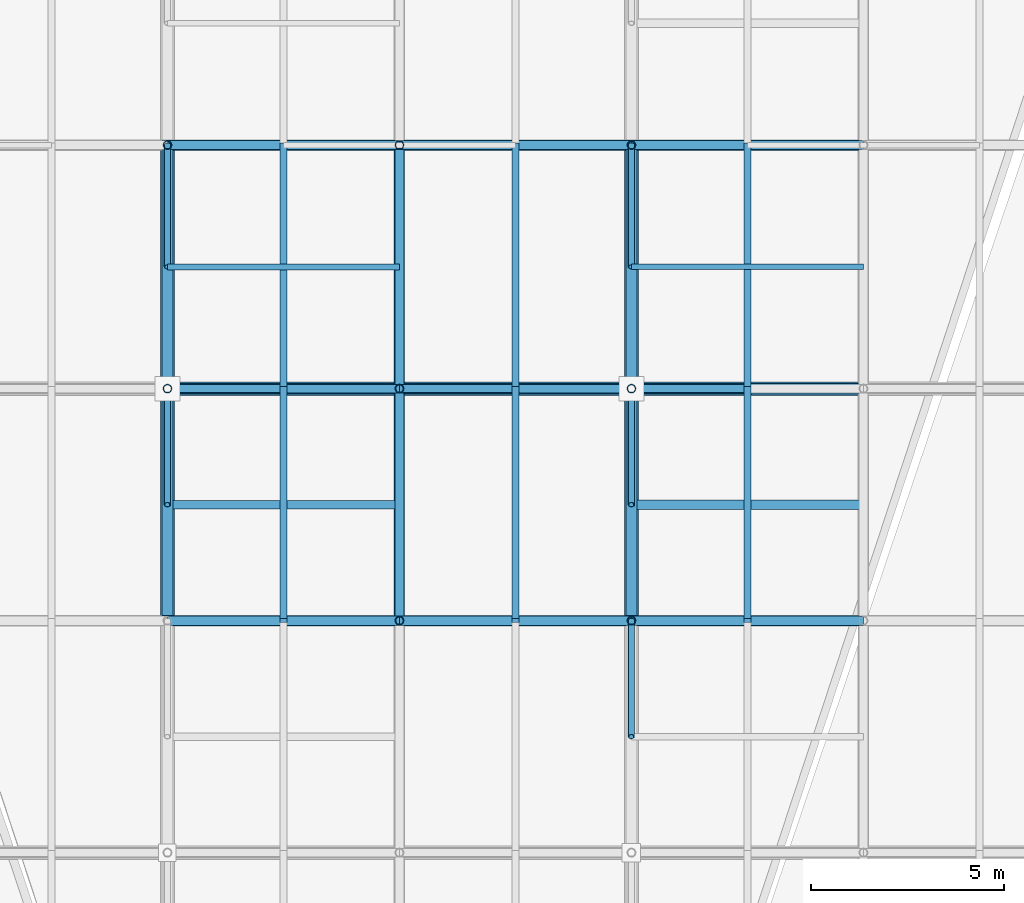
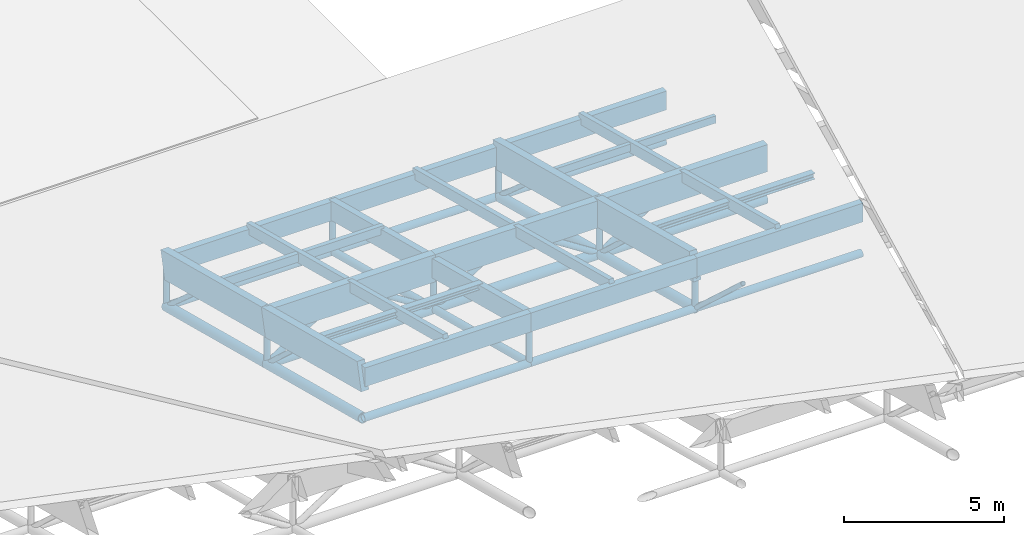
# One storey, part 56 of 80: 58 members.
"""IFC4 building model written with IfcOpenShell, lengths in metres."""

from ifc_helpers import new_model, si_unit, direction, frame, origin, origin_2d, place, context, subcontext, project, spatial, rectangle, hollow_circle, i_section, extrude, material, material_profile, profile_set, type_object, element, save


model = new_model("IFC4")

# Units and contexts
model_context = context("Model", 3, precision=1e-05, world=origin(), true_north=direction((0.0, 1.0)))
body_context = subcontext(model_context, "Body", "Model", "MODEL_VIEW")
ifc_project = project(units=[si_unit("LENGTHUNIT", "METRE"), si_unit("AREAUNIT", "SQUARE_METRE"), si_unit("VOLUMEUNIT", "CUBIC_METRE"), si_unit("PLANEANGLEUNIT", "RADIAN"), si_unit("MASSUNIT", "GRAM", prefix="KILO"), si_unit("THERMODYNAMICTEMPERATUREUNIT", "KELVIN"), si_unit("POWERUNIT", "WATT")], contexts=[model_context])

# Site, building, storey
site_placement = place(None, origin())
site = spatial("IfcSite", under=ifc_project, at=site_placement, CompositionType="ELEMENT")
building_placement = place(site_placement, origin())
building = spatial("IfcBuilding", under=site, at=building_placement, Name="Solmara Park Aquatics Centre", CompositionType="ELEMENT")
storey_placement = place(building_placement, frame((0.0, 0.0, 22.800048828125)))
storey = spatial("IfcBuildingStorey", under=building, at=storey_placement, Name="RF", CompositionType="ELEMENT", Elevation=22.800048828125)

# Members
ifc_material_1 = material(Name="Structural Steel S355", Category="steel")
ifc_material_profile_1 = material_profile(ifc_material_1, hollow_circle(Radius=0.084228515625, WallThickness=0.008056640625, at=origin_2d()), Name="CHS 168.3x8")
ifc_profile_set_1 = profile_set([ifc_material_profile_1], Name="Structural Steel S355")
member_type_1 = type_object("IfcMemberType", Name="STR-BRC-CHS168", PredefinedType="BRACE", material=ifc_profile_set_1)
member_1_placement = place(storey_placement, frame((60.60009765625, 66.60009765625, -9.58984375), z_axis=(0.0, -0.736437262703, 0.67650584484), x_axis=(1.0, 0.0, 0.0)))
element("IfcMember", 1, at=member_1_placement, inside=storey, type_object=member_type_1, Name="Roof Truss Web Diagonal Y 2101", PredefinedType="BRACE", context=body_context, shape_type="SweptSolid", body=[
    extrude(hollow_circle(Radius=0.084228515625, WallThickness=0.008056640625, at=origin_2d()), origin(), (0.0, 0.0, 1.0), 4.07373046875),
])
for number, where, z_axis, x_axis, name in (
    (2, (48.60009765625, 72.60009765625, -11.141357421875), (0.0, -0.736467121275, 0.676473339667), (1.0, 0.0, 0.0), "Roof Truss Web Diagonal Y 2123"),
    (3, (60.60009765625, 72.60009765625, -11.141357421875), (0.0, -0.736467121275, 0.676473339667), (1.0, 0.0, 0.0), "Roof Truss Web Diagonal Y 2124"),
):
    element("IfcMember", number, at=place(storey_placement, frame(where, z_axis=z_axis, x_axis=x_axis)), inside=storey, type_object=member_type_1, Name=name, PredefinedType="BRACE", context=body_context, shape_type="SweptSolid", body=[
        extrude(hollow_circle(Radius=0.084228515625, WallThickness=0.008056640625, at=origin_2d()), origin(), (0.0, 0.0, 1.0), 4.073486328125),
    ])
for number, where, z_axis, x_axis, name in (
    (4, (48.60009765625, 78.89990234375, -12.770751953125), (0.0, -0.748026356938, 0.663669020917), (1.0, 0.0, 0.0), "Roof Truss Web Diagonal Y 2145"),
    (5, (60.60009765625, 78.89990234375, -12.770751953125), (0.0, -0.748026356938, 0.663669020917), (1.0, 0.0, 0.0), "Roof Truss Web Diagonal Y 2146"),
):
    element("IfcMember", number, at=place(storey_placement, frame(where, z_axis=z_axis, x_axis=x_axis)), inside=storey, type_object=member_type_1, Name=name, PredefinedType="BRACE", context=body_context, shape_type="SweptSolid", body=[
        extrude(hollow_circle(Radius=0.084228515625, WallThickness=0.008056640625, at=origin_2d()), origin(), (0.0, 0.0, 1.0), 4.2109375),
    ])
ifc_material_profile_2 = material_profile(ifc_material_1, hollow_circle(Radius=0.109619140625, WallThickness=0.010009765625, at=origin_2d()), Name="CHS 219.1x10")
ifc_profile_set_2 = profile_set([ifc_material_profile_2], Name="Structural Steel S355")
member_type_2 = type_object("IfcMemberType", Name="STR-BRC-CHS219", PredefinedType="BRACE", material=ifc_profile_set_2)
for number, where, z_axis, x_axis, name in (
    (6, (48.60009765625, 72.60009765625, -11.141357421875), (0.83972779743, 0.0, 0.543007574738), (0.0, 1.0, 0.0), "Roof Truss Web Diagonal X 1589"),
    (7, (54.60009765625, 72.60009765625, -11.141357421875), (-0.83972779743, 0.0, 0.543007574738), (0.0, -1.0, 0.0), "Roof Truss Web Diagonal X 1590"),
    (8, (54.60009765625, 72.60009765625, -11.141357421875), (0.83972779743, 0.0, 0.543007574738), (0.0, 1.0, 0.0), "Roof Truss Web Diagonal X 1619"),
    (9, (60.60009765625, 72.60009765625, -11.141357421875), (-0.83972779743, 0.0, 0.543007574738), (0.0, -1.0, 0.0), "Roof Truss Web Diagonal X 1620"),
    (10, (60.60009765625, 72.60009765625, -11.141357421875), (0.83972779743, 0.0, 0.543007574738), (0.0, 1.0, 0.0), "Roof Truss Web Diagonal X 1649"),
):
    element("IfcMember", number, at=place(storey_placement, frame(where, z_axis=z_axis, x_axis=x_axis)), inside=storey, type_object=member_type_2, Name=name, PredefinedType="BRACE", context=body_context, shape_type="SweptSolid", body=[
        extrude(hollow_circle(Radius=0.109619140625, WallThickness=0.010009765625, at=origin_2d()), origin(), (0.0, 0.0, 1.0), 3.572509765625),
    ])
ifc_material_profile_3 = material_profile(ifc_material_1, hollow_circle(Radius=0.136474609375, WallThickness=0.012451171875, at=origin_2d()), Name="CHS 273x12.5")
ifc_profile_set_3 = profile_set([ifc_material_profile_3], Name="Structural Steel S355")
member_type_3 = type_object("IfcMemberType", Name="STR-CHD-CHS273", PredefinedType="CHORD", material=ifc_profile_set_3)
for number, where, z_axis, x_axis, name in (
    (11, (48.60009765625, 66.60009765625, -9.58984375), (1.0, 0.0, 0.0), (0.0, 1.0, 0.0), "Steel Roof Truss Bottom Chord X 0414"),
    (12, (54.60009765625, 66.60009765625, -9.58984375), (1.0, 0.0, 0.0), (0.0, 1.0, 0.0), "Steel Roof Truss Bottom Chord X 0416"),
    (13, (60.60009765625, 66.60009765625, -9.58984375), (1.0, 0.0, 0.0), (0.0, 1.0, 0.0), "Steel Roof Truss Bottom Chord X 0418"),
    (14, (48.60009765625, 78.89990234375, -12.770751953125), (1.0, 0.0, 0.0), (0.0, 1.0, 0.0), "Steel Roof Truss Bottom Chord X 0486"),
    (15, (54.60009765625, 78.89990234375, -12.770751953125), (1.0, 0.0, 0.0), (0.0, 1.0, 0.0), "Steel Roof Truss Bottom Chord X 0488"),
    (16, (60.60009765625, 78.89990234375, -12.770751953125), (1.0, 0.0, 0.0), (0.0, 1.0, 0.0), "Steel Roof Truss Bottom Chord X 0490"),
):
    element("IfcMember", number, at=place(storey_placement, frame(where, z_axis=z_axis, x_axis=x_axis)), inside=storey, type_object=member_type_3, Name=name, PredefinedType="CHORD", context=body_context, shape_type="SweptSolid", body=[
        extrude(hollow_circle(Radius=0.136474609375, WallThickness=0.012451171875, at=origin_2d()), origin(), (0.0, 0.0, 1.0), 6.0),
    ])
member_2_placement = place(storey_placement, frame((54.60009765625, 66.60009765625, -9.58984375), z_axis=(0.0, 0.968155143395, -0.250350990246), x_axis=(-1.0, 0.0, 0.0)))
element("IfcMember", 17, at=member_2_placement, inside=storey, type_object=member_type_3, Name="Steel Roof Truss Bottom Chord Y 0816", PredefinedType="CHORD", context=body_context, shape_type="SweptSolid", body=[
    extrude(hollow_circle(Radius=0.136474609375, WallThickness=0.012451171875, at=origin_2d()), origin(), (0.0, 0.0, 1.0), 6.197265625),
])
member_3_placement = place(storey_placement, frame((54.60009765625, 72.60009765625, -11.141357421875), z_axis=(0.0, 0.968141893543, -0.250402224365), x_axis=(-1.0, 0.0, 0.0)))
element("IfcMember", 18, at=member_3_placement, inside=storey, type_object=member_type_3, Name="Steel Roof Truss Bottom Chord Y 0818", PredefinedType="CHORD", context=body_context, shape_type="SweptSolid", body=[
    extrude(hollow_circle(Radius=0.136474609375, WallThickness=0.012451171875, at=origin_2d()), origin(), (0.0, 0.0, 1.0), 6.507080078125),
])
ifc_material_profile_4 = material_profile(ifc_material_1, hollow_circle(Radius=0.177734375, WallThickness=0.01611328125, at=origin_2d()), Name="CHS 355.6x16")
ifc_profile_set_4 = profile_set([ifc_material_profile_4], Name="Structural Steel S355")
member_type_4 = type_object("IfcMemberType", Name="STR-CHD-CHS355", PredefinedType="CHORD", material=ifc_profile_set_4)
for number, where, z_axis, x_axis, name in (
    (19, (48.60009765625, 72.60009765625, -11.141357421875), (1.0, 0.0, 0.0), (0.0, 1.0, 0.0), "Steel Roof Truss Bottom Chord X 0450"),
    (20, (54.60009765625, 72.60009765625, -11.141357421875), (1.0, 0.0, 0.0), (0.0, 1.0, 0.0), "Steel Roof Truss Bottom Chord X 0452"),
    (21, (60.60009765625, 72.60009765625, -11.141357421875), (1.0, 0.0, 0.0), (0.0, 1.0, 0.0), "Steel Roof Truss Bottom Chord X 0454"),
):
    element("IfcMember", number, at=place(storey_placement, frame(where, z_axis=z_axis, x_axis=x_axis)), inside=storey, type_object=member_type_4, Name=name, PredefinedType="CHORD", context=body_context, shape_type="SweptSolid", body=[
        extrude(hollow_circle(Radius=0.177734375, WallThickness=0.01611328125, at=origin_2d()), origin(), (0.0, 0.0, 1.0), 6.0),
    ])
member_4_placement = place(storey_placement, frame((48.60009765625, 66.60009765625, -9.58984375), z_axis=(0.0, 0.968155143395, -0.250350990246), x_axis=(-1.0, 0.0, 0.0)))
element("IfcMember", 22, at=member_4_placement, inside=storey, type_object=member_type_4, Name="Steel Roof Truss Bottom Chord Y 0788", PredefinedType="CHORD", context=body_context, shape_type="SweptSolid", body=[
    extrude(hollow_circle(Radius=0.177734375, WallThickness=0.01611328125, at=origin_2d()), origin(), (0.0, 0.0, 1.0), 6.197265625),
])
member_5_placement = place(storey_placement, frame((48.60009765625, 72.60009765625, -11.141357421875), z_axis=(0.0, 0.968141893543, -0.250402224365), x_axis=(-1.0, 0.0, 0.0)))
element("IfcMember", 23, at=member_5_placement, inside=storey, type_object=member_type_4, Name="Steel Roof Truss Bottom Chord Y 0790", PredefinedType="CHORD", context=body_context, shape_type="SweptSolid", body=[
    extrude(hollow_circle(Radius=0.177734375, WallThickness=0.01611328125, at=origin_2d()), origin(), (0.0, 0.0, 1.0), 6.507080078125),
])
member_6_placement = place(storey_placement, frame((60.60009765625, 66.60009765625, -9.58984375), z_axis=(0.0, 0.968155143395, -0.250350990246), x_axis=(-1.0, 0.0, 0.0)))
element("IfcMember", 24, at=member_6_placement, inside=storey, type_object=member_type_4, Name="Steel Roof Truss Bottom Chord Y 0844", PredefinedType="CHORD", context=body_context, shape_type="SweptSolid", body=[
    extrude(hollow_circle(Radius=0.177734375, WallThickness=0.01611328125, at=origin_2d()), origin(), (0.0, 0.0, 1.0), 6.197265625),
])
member_7_placement = place(storey_placement, frame((60.60009765625, 72.60009765625, -11.141357421875), z_axis=(0.0, 0.968141893543, -0.250402224365), x_axis=(-1.0, 0.0, 0.0)))
element("IfcMember", 25, at=member_7_placement, inside=storey, type_object=member_type_4, Name="Steel Roof Truss Bottom Chord Y 0846", PredefinedType="CHORD", context=body_context, shape_type="SweptSolid", body=[
    extrude(hollow_circle(Radius=0.177734375, WallThickness=0.01611328125, at=origin_2d()), origin(), (0.0, 0.0, 1.0), 6.507080078125),
])
ifc_material_2 = material(Name="Glulam Timber GL28h", Category="wood")
ifc_material_profile_5 = material_profile(ifc_material_2, rectangle(XDim=0.239990234375, YDim=0.719970703125, at=origin_2d()), Name="GL28h 240x720")
ifc_profile_set_5 = profile_set([ifc_material_profile_5], Name="Glulam Timber GL28h")
member_type_5 = type_object("IfcMemberType", Name="STR-CHD-GL240x720", PredefinedType="CHORD", material=ifc_profile_set_5)
for number, where, z_axis, x_axis, name in (
    (26, (48.60009765625, 66.60009765625, -7.9697265625), (1.0, 0.0, 0.0), (0.0, 1.0, 0.0), "Glulam Roof Truss Top Chord X 0413"),
    (27, (54.60009765625, 66.60009765625, -7.9697265625), (1.0, 0.0, 0.0), (0.0, 1.0, 0.0), "Glulam Roof Truss Top Chord X 0415"),
    (28, (60.60009765625, 66.60009765625, -7.9697265625), (1.0, 0.0, 0.0), (0.0, 1.0, 0.0), "Glulam Roof Truss Top Chord X 0417"),
    (29, (48.60009765625, 78.89990234375, -11.150634765625), (1.0, 0.0, 0.0), (0.0, 1.0, 0.0), "Glulam Roof Truss Top Chord X 0485"),
    (30, (54.60009765625, 78.89990234375, -11.150634765625), (1.0, 0.0, 0.0), (0.0, 1.0, 0.0), "Glulam Roof Truss Top Chord X 0487"),
    (31, (60.60009765625, 78.89990234375, -11.150634765625), (1.0, 0.0, 0.0), (0.0, 1.0, 0.0), "Glulam Roof Truss Top Chord X 0489"),
):
    element("IfcMember", number, at=place(storey_placement, frame(where, z_axis=z_axis, x_axis=x_axis)), inside=storey, type_object=member_type_5, Name=name, PredefinedType="CHORD", context=body_context, shape_type="SweptSolid", body=[
        extrude(rectangle(XDim=0.239990234375, YDim=0.719970703125, at=origin_2d()), origin(), (0.0, 0.0, 1.0), 6.0),
    ])
member_8_placement = place(storey_placement, frame((54.60009765625, 66.60009765625, -7.9697265625), z_axis=(0.0, 0.968145594442, -0.250387914969), x_axis=(-1.0, 0.0, 0.0)))
element("IfcMember", 32, at=member_8_placement, inside=storey, type_object=member_type_5, Name="Glulam Roof Truss Top Chord Y 0815", PredefinedType="CHORD", context=body_context, shape_type="SweptSolid", body=[
    extrude(rectangle(XDim=0.239990234375, YDim=0.719970703125, at=origin_2d()), origin(), (0.0, 0.0, 1.0), 6.197509765625),
])
member_9_placement = place(storey_placement, frame((54.60009765625, 72.60009765625, -9.521484375), z_axis=(0.0, 0.968150988544, -0.250367057299), x_axis=(-1.0, 0.0, 0.0)))
element("IfcMember", 33, at=member_9_placement, inside=storey, type_object=member_type_5, Name="Glulam Roof Truss Top Chord Y 0817", PredefinedType="CHORD", context=body_context, shape_type="SweptSolid", body=[
    extrude(rectangle(XDim=0.239990234375, YDim=0.719970703125, at=origin_2d()), origin(), (0.0, 0.0, 1.0), 6.507080078125),
])
ifc_material_profile_6 = material_profile(ifc_material_2, rectangle(XDim=0.280029296875, YDim=1.0400390625, at=origin_2d()), Name="GL28h 280x1040")
ifc_profile_set_6 = profile_set([ifc_material_profile_6], Name="Glulam Timber GL28h")
member_type_6 = type_object("IfcMemberType", Name="STR-CHD-GL280x1040", PredefinedType="CHORD", material=ifc_profile_set_6)
for number, where, z_axis, x_axis, name in (
    (34, (48.60009765625, 72.60009765625, -9.521484375), (1.0, 0.0, 0.0), (0.0, 1.0, 0.0), "Glulam Roof Truss Top Chord X 0449"),
    (35, (54.60009765625, 72.60009765625, -9.521484375), (1.0, 0.0, 0.0), (0.0, 1.0, 0.0), "Glulam Roof Truss Top Chord X 0451"),
    (36, (60.60009765625, 72.60009765625, -9.521484375), (1.0, 0.0, 0.0), (0.0, 1.0, 0.0), "Glulam Roof Truss Top Chord X 0453"),
):
    element("IfcMember", number, at=place(storey_placement, frame(where, z_axis=z_axis, x_axis=x_axis)), inside=storey, type_object=member_type_6, Name=name, PredefinedType="CHORD", context=body_context, shape_type="SweptSolid", body=[
        extrude(rectangle(XDim=0.280029296875, YDim=1.0400390625, at=origin_2d()), origin(), (0.0, 0.0, 1.0), 6.0),
    ])
member_10_placement = place(storey_placement, frame((48.60009765625, 66.60009765625, -7.9697265625), z_axis=(0.0, 0.968145594442, -0.250387914969), x_axis=(-1.0, 0.0, 0.0)))
element("IfcMember", 37, at=member_10_placement, inside=storey, type_object=member_type_6, Name="Glulam Roof Truss Top Chord Y 0787", PredefinedType="CHORD", context=body_context, shape_type="SweptSolid", body=[
    extrude(rectangle(XDim=0.280029296875, YDim=1.0400390625, at=origin_2d()), origin(), (0.0, 0.0, 1.0), 6.197509765625),
])
member_11_placement = place(storey_placement, frame((48.60009765625, 72.60009765625, -9.521484375), z_axis=(0.0, 0.968150988544, -0.250367057299), x_axis=(-1.0, 0.0, 0.0)))
element("IfcMember", 38, at=member_11_placement, inside=storey, type_object=member_type_6, Name="Glulam Roof Truss Top Chord Y 0789", PredefinedType="CHORD", context=body_context, shape_type="SweptSolid", body=[
    extrude(rectangle(XDim=0.280029296875, YDim=1.0400390625, at=origin_2d()), origin(), (0.0, 0.0, 1.0), 6.507080078125),
])
member_12_placement = place(storey_placement, frame((60.60009765625, 66.60009765625, -7.9697265625), z_axis=(0.0, 0.968145594442, -0.250387914969), x_axis=(-1.0, 0.0, 0.0)))
element("IfcMember", 39, at=member_12_placement, inside=storey, type_object=member_type_6, Name="Glulam Roof Truss Top Chord Y 0843", PredefinedType="CHORD", context=body_context, shape_type="SweptSolid", body=[
    extrude(rectangle(XDim=0.280029296875, YDim=1.0400390625, at=origin_2d()), origin(), (0.0, 0.0, 1.0), 6.197509765625),
])
member_13_placement = place(storey_placement, frame((60.60009765625, 72.60009765625, -9.521484375), z_axis=(0.0, 0.968150988544, -0.250367057299), x_axis=(-1.0, 0.0, 0.0)))
element("IfcMember", 40, at=member_13_placement, inside=storey, type_object=member_type_6, Name="Glulam Roof Truss Top Chord Y 0845", PredefinedType="CHORD", context=body_context, shape_type="SweptSolid", body=[
    extrude(rectangle(XDim=0.280029296875, YDim=1.0400390625, at=origin_2d()), origin(), (0.0, 0.0, 1.0), 6.507080078125),
])
ifc_material_profile_7 = material_profile(ifc_material_2, rectangle(XDim=0.139892578125, YDim=0.280029296875, at=origin_2d()), Name="GL28h 140x280")
ifc_profile_set_7 = profile_set([ifc_material_profile_7], Name="Glulam Timber GL28h")
member_type_7 = type_object("IfcMemberType", Name="STR-PRL-GL140x280", PredefinedType="PURLIN", material=ifc_profile_set_7)
member_14_placement = place(storey_placement, frame((60.60009765625, 75.75, -9.99609375), z_axis=(1.0, 0.0, 0.0), x_axis=(0.0, 1.0, 0.0)))
element("IfcMember", 41, at=member_14_placement, inside=storey, type_object=member_type_7, Name="Glulam Secondary Roof Purlin 2136", PredefinedType="PURLIN", context=body_context, shape_type="SweptSolid", body=[
    extrude(rectangle(XDim=0.139892578125, YDim=0.280029296875, at=origin_2d()), origin(), (0.0, 0.0, 1.0), 6.0),
])
ifc_material_profile_8 = material_profile(ifc_material_2, rectangle(XDim=0.159912109375, YDim=0.320068359375, at=origin_2d()), Name="GL28h 160x320")
ifc_profile_set_8 = profile_set([ifc_material_profile_8], Name="Glulam Timber GL28h")
member_type_8 = type_object("IfcMemberType", Name="STR-PRL-GL160x320", PredefinedType="PURLIN", material=ifc_profile_set_8)
member_15_placement = place(storey_placement, frame((48.60009765625, 75.75, -9.99609375), z_axis=(1.0, 0.0, 0.0), x_axis=(0.0, 1.0, 0.0)))
element("IfcMember", 42, at=member_15_placement, inside=storey, type_object=member_type_8, Name="Glulam Secondary Roof Purlin 2135", PredefinedType="PURLIN", context=body_context, shape_type="SweptSolid", body=[
    extrude(rectangle(XDim=0.159912109375, YDim=0.320068359375, at=origin_2d()), origin(), (0.0, 0.0, 1.0), 6.0),
])
ifc_material_profile_9 = material_profile(ifc_material_2, rectangle(XDim=0.179931640625, YDim=0.39990234375, at=origin_2d()), Name="GL28h 180x400")
ifc_profile_set_9 = profile_set([ifc_material_profile_9], Name="Glulam Timber GL28h")
member_type_9 = type_object("IfcMemberType", Name="STR-PRL-GL180x400", PredefinedType="PURLIN", material=ifc_profile_set_9)
member_16_placement = place(storey_placement, frame((51.60009765625, 66.60009765625, -7.649658203125), z_axis=(0.0, 0.968145594442, -0.250387914969), x_axis=(-1.0, 0.0, 0.0)))
element("IfcMember", 43, at=member_16_placement, inside=storey, type_object=member_type_9, Name="Glulam Roof Purlin 1574", PredefinedType="PURLIN", context=body_context, shape_type="SweptSolid", body=[
    extrude(rectangle(XDim=0.179931640625, YDim=0.39990234375, at=origin_2d()), origin(), (0.0, 0.0, 1.0), 6.197509765625),
])
member_17_placement = place(storey_placement, frame((51.60009765625, 72.60009765625, -9.201416015625), z_axis=(0.0, 0.968141893543, -0.250402224365), x_axis=(-1.0, 0.0, 0.0)))
element("IfcMember", 44, at=member_17_placement, inside=storey, type_object=member_type_9, Name="Glulam Roof Purlin 1575", PredefinedType="PURLIN", context=body_context, shape_type="SweptSolid", body=[
    extrude(rectangle(XDim=0.179931640625, YDim=0.39990234375, at=origin_2d()), origin(), (0.0, 0.0, 1.0), 6.507080078125),
])
member_18_placement = place(storey_placement, frame((57.60009765625, 66.60009765625, -7.649658203125), z_axis=(0.0, 0.968145594442, -0.250387914969), x_axis=(-1.0, 0.0, 0.0)))
element("IfcMember", 45, at=member_18_placement, inside=storey, type_object=member_type_9, Name="Glulam Roof Purlin 1604", PredefinedType="PURLIN", context=body_context, shape_type="SweptSolid", body=[
    extrude(rectangle(XDim=0.179931640625, YDim=0.39990234375, at=origin_2d()), origin(), (0.0, 0.0, 1.0), 6.197509765625),
])
member_19_placement = place(storey_placement, frame((57.60009765625, 72.60009765625, -9.201416015625), z_axis=(0.0, 0.968141893543, -0.250402224365), x_axis=(-1.0, 0.0, 0.0)))
element("IfcMember", 46, at=member_19_placement, inside=storey, type_object=member_type_9, Name="Glulam Roof Purlin 1605", PredefinedType="PURLIN", context=body_context, shape_type="SweptSolid", body=[
    extrude(rectangle(XDim=0.179931640625, YDim=0.39990234375, at=origin_2d()), origin(), (0.0, 0.0, 1.0), 6.507080078125),
])
member_20_placement = place(storey_placement, frame((63.60009765625, 66.60009765625, -7.649658203125), z_axis=(0.0, 0.968145594442, -0.250387914969), x_axis=(-1.0, 0.0, 0.0)))
element("IfcMember", 47, at=member_20_placement, inside=storey, type_object=member_type_9, Name="Glulam Roof Purlin 1634", PredefinedType="PURLIN", context=body_context, shape_type="SweptSolid", body=[
    extrude(rectangle(XDim=0.179931640625, YDim=0.39990234375, at=origin_2d()), origin(), (0.0, 0.0, 1.0), 6.197509765625),
])
member_21_placement = place(storey_placement, frame((63.60009765625, 72.60009765625, -9.201416015625), z_axis=(0.0, 0.968141893543, -0.250402224365), x_axis=(-1.0, 0.0, 0.0)))
element("IfcMember", 48, at=member_21_placement, inside=storey, type_object=member_type_9, Name="Glulam Roof Purlin 1635", PredefinedType="PURLIN", context=body_context, shape_type="SweptSolid", body=[
    extrude(rectangle(XDim=0.179931640625, YDim=0.39990234375, at=origin_2d()), origin(), (0.0, 0.0, 1.0), 6.507080078125),
])
ifc_material_profile_10 = material_profile(ifc_material_1, i_section(OverallWidth=0.219970703125, OverallDepth=0.2099609375, WebThickness=0.007080078125, FlangeThickness=0.010986328125, FilletRadius=0.01806640625, at=origin_2d()), Name="HEA 220")
ifc_profile_set_10 = profile_set([ifc_material_profile_10], Name="Structural Steel S355")
member_type_10 = type_object("IfcMemberType", Name="STR-PRL-HEA220", PredefinedType="PURLIN", material=ifc_profile_set_10)
member_22_placement = place(storey_placement, frame((48.60009765625, 69.60009765625, -8.40576171875), z_axis=(1.0, 0.0, 0.0), x_axis=(0.0, 1.0, 0.0)))
element("IfcMember", 49, at=member_22_placement, inside=storey, type_object=member_type_10, Name="Glulam Secondary Roof Purlin 2112", PredefinedType="PURLIN", context=body_context, shape_type="SweptSolid", body=[
    extrude(i_section(OverallWidth=0.219970703125, OverallDepth=0.2099609375, WebThickness=0.007080078125, FlangeThickness=0.010986328125, FilletRadius=0.01806640625, at=origin_2d()), origin(), (0.0, 0.0, 1.0), 6.0),
])
ifc_material_profile_11 = material_profile(ifc_material_1, i_section(OverallWidth=0.239990234375, OverallDepth=0.22998046875, WebThickness=0.007568359375, FlangeThickness=0.011962890625, FilletRadius=0.02099609375, at=origin_2d()), Name="HEA 240")
ifc_profile_set_11 = profile_set([ifc_material_profile_11], Name="Structural Steel S355")
member_type_11 = type_object("IfcMemberType", Name="STR-PRL-HEA240", PredefinedType="PURLIN", material=ifc_profile_set_11)
member_23_placement = place(storey_placement, frame((60.60009765625, 69.60009765625, -8.40576171875), z_axis=(1.0, 0.0, 0.0), x_axis=(0.0, 1.0, 0.0)))
element("IfcMember", 50, at=member_23_placement, inside=storey, type_object=member_type_11, Name="Glulam Secondary Roof Purlin 2113", PredefinedType="PURLIN", context=body_context, shape_type="SweptSolid", body=[
    extrude(i_section(OverallWidth=0.239990234375, OverallDepth=0.22998046875, WebThickness=0.007568359375, FlangeThickness=0.011962890625, FilletRadius=0.02099609375, at=origin_2d()), origin(), (0.0, 0.0, 1.0), 6.0),
])
ifc_material_profile_12 = material_profile(ifc_material_1, hollow_circle(Radius=0.109619140625, WallThickness=0.010009765625, at=origin_2d()), Name="CHS 219.1x10")
ifc_profile_set_12 = profile_set([ifc_material_profile_12], Name="Structural Steel S355")
member_type_12 = type_object("IfcMemberType", Name="STR-PST-CHS219", PredefinedType="POST", material=ifc_profile_set_12)
member_24_placement = place(storey_placement, frame((48.60009765625, 72.60009765625, -11.141357421875), z_axis=(0.0, 0.0, 1.0), x_axis=(1.0, 0.0, 0.0)))
element("IfcMember", 51, at=member_24_placement, inside=storey, type_object=member_type_12, Name="Roof Truss Web Post 1198", PredefinedType="POST", context=body_context, shape_type="SweptSolid", body=[
    extrude(hollow_circle(Radius=0.109619140625, WallThickness=0.010009765625, at=origin_2d()), origin(), (0.0, 0.0, 1.0), 1.619873046875),
])
for number, where, z_axis, x_axis, name in (
    (52, (48.60009765625, 78.89990234375, -12.770751953125), (0.0, 0.0, 1.0), (1.0, 0.0, 0.0), "Roof Truss Web Post 1199"),
    (53, (54.60009765625, 66.60009765625, -9.58984375), (0.0, 0.0, 1.0), (1.0, 0.0, 0.0), "Roof Truss Web Post 1212"),
):
    element("IfcMember", number, at=place(storey_placement, frame(where, z_axis=z_axis, x_axis=x_axis)), inside=storey, type_object=member_type_12, Name=name, PredefinedType="POST", context=body_context, shape_type="SweptSolid", body=[
        extrude(hollow_circle(Radius=0.109619140625, WallThickness=0.010009765625, at=origin_2d()), origin(), (0.0, 0.0, 1.0), 1.6201171875),
    ])
member_25_placement = place(storey_placement, frame((54.60009765625, 72.60009765625, -11.141357421875), z_axis=(0.0, 0.0, 1.0), x_axis=(1.0, 0.0, 0.0)))
element("IfcMember", 54, at=member_25_placement, inside=storey, type_object=member_type_12, Name="Roof Truss Web Post 1213", PredefinedType="POST", context=body_context, shape_type="SweptSolid", body=[
    extrude(hollow_circle(Radius=0.109619140625, WallThickness=0.010009765625, at=origin_2d()), origin(), (0.0, 0.0, 1.0), 1.619873046875),
])
for number, where, z_axis, x_axis, name in (
    (55, (54.60009765625, 78.89990234375, -12.770751953125), (0.0, 0.0, 1.0), (1.0, 0.0, 0.0), "Roof Truss Web Post 1214"),
    (56, (60.60009765625, 66.60009765625, -9.58984375), (0.0, 0.0, 1.0), (1.0, 0.0, 0.0), "Roof Truss Web Post 1227"),
):
    element("IfcMember", number, at=place(storey_placement, frame(where, z_axis=z_axis, x_axis=x_axis)), inside=storey, type_object=member_type_12, Name=name, PredefinedType="POST", context=body_context, shape_type="SweptSolid", body=[
        extrude(hollow_circle(Radius=0.109619140625, WallThickness=0.010009765625, at=origin_2d()), origin(), (0.0, 0.0, 1.0), 1.6201171875),
    ])
member_26_placement = place(storey_placement, frame((60.60009765625, 72.60009765625, -11.141357421875), z_axis=(0.0, 0.0, 1.0), x_axis=(1.0, 0.0, 0.0)))
element("IfcMember", 57, at=member_26_placement, inside=storey, type_object=member_type_12, Name="Roof Truss Web Post 1228", PredefinedType="POST", context=body_context, shape_type="SweptSolid", body=[
    extrude(hollow_circle(Radius=0.109619140625, WallThickness=0.010009765625, at=origin_2d()), origin(), (0.0, 0.0, 1.0), 1.619873046875),
])
member_27_placement = place(storey_placement, frame((60.60009765625, 78.89990234375, -12.770751953125), z_axis=(0.0, 0.0, 1.0), x_axis=(1.0, 0.0, 0.0)))
element("IfcMember", 58, at=member_27_placement, inside=storey, type_object=member_type_12, Name="Roof Truss Web Post 1229", PredefinedType="POST", context=body_context, shape_type="SweptSolid", body=[
    extrude(hollow_circle(Radius=0.109619140625, WallThickness=0.010009765625, at=origin_2d()), origin(), (0.0, 0.0, 1.0), 1.6201171875),
])

save(model, "model.ifc")
